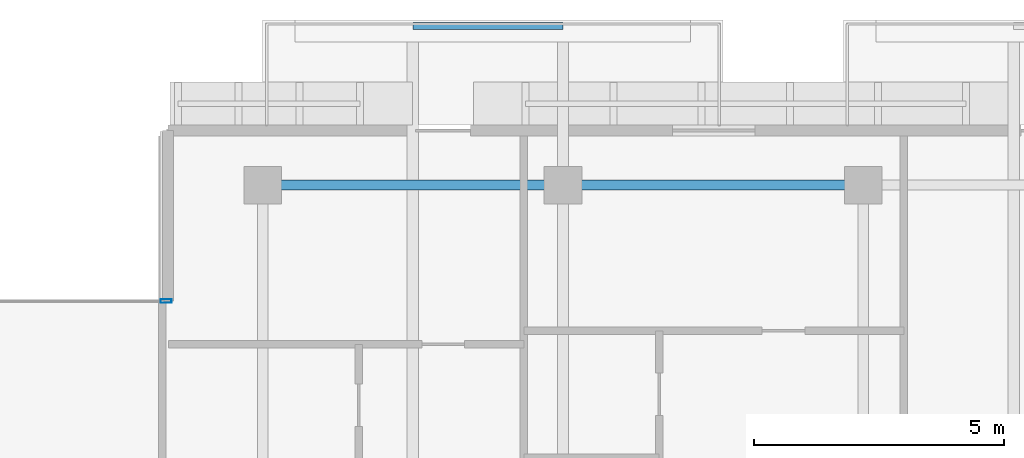
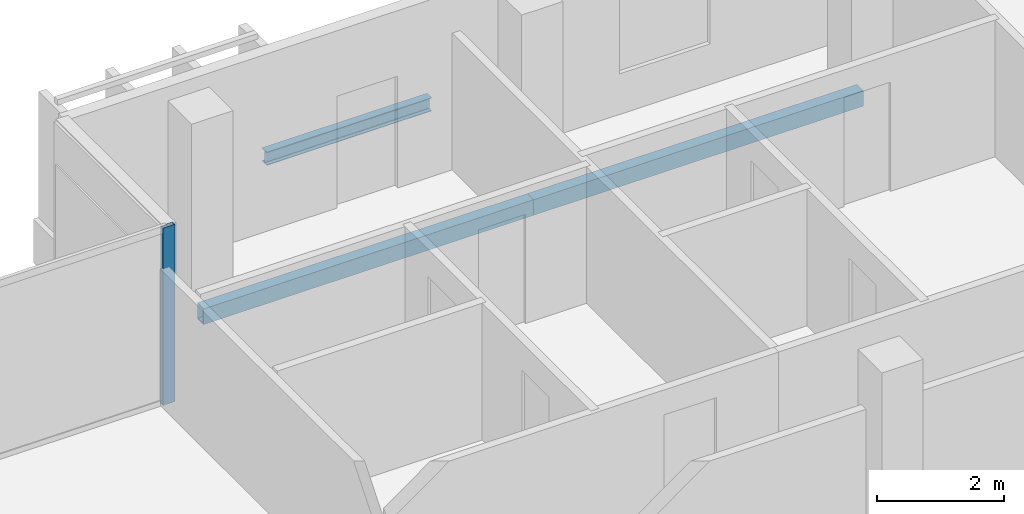
# One storey, part 8 of 23: 3 beams, 1 member, 1 element without a shape of its own.
"""IFC4 building model written with IfcOpenShell, lengths in metres."""

from ifc_helpers import new_model, si_unit, direction, frame, origin, origin_2d, place, context, subcontext, project, spatial, hollow_rectangle, i_section, extrude, material, layer, layer_set, material_profile, profile_set, type_object, element, aggregate, save


model = new_model("IFC4")

# Units and contexts
model_context = context("Model", 3, precision=1e-05, world=origin(), true_north=direction((0.0, 1.0)))
body_context = subcontext(model_context, "Body", "Model", "MODEL_VIEW")
ifc_project = project(units=[si_unit("LENGTHUNIT", "METRE"), si_unit("AREAUNIT", "SQUARE_METRE"), si_unit("VOLUMEUNIT", "CUBIC_METRE"), si_unit("PLANEANGLEUNIT", "RADIAN"), si_unit("MASSUNIT", "GRAM", prefix="KILO")], contexts=[model_context])

# Site, building, storey
site_placement = place(None, origin())
site = spatial("IfcSite", under=ifc_project, at=site_placement, CompositionType="ELEMENT")
building_placement = place(site_placement, origin())
building = spatial("IfcBuilding", under=site, at=building_placement, Name="Tanjung Sevakor Pilgrim Tower", CompositionType="ELEMENT")
storey_placement = place(building_placement, frame((0.0, 0.0, 215.489990234375)))
storey = spatial("IfcBuildingStorey", under=building, at=storey_placement, Name="L60", CompositionType="ELEMENT", Elevation=215.489990234375)

# Beams
ifc_material_1 = material(Name="Steel S355J2", Category="steel")
ifc_material_profile_1 = material_profile(ifc_material_1, i_section(OverallWidth=0.146484375, OverallDepth=0.256103515625, WebThickness=0.00634765625, FlangeThickness=0.010986328125, FilletRadius=0.007568359375, at=origin_2d()))
ifc_profile_set_1 = profile_set([ifc_material_profile_1], Name="Steel S355J2")
beam_type_1 = type_object("IfcBeamType", Name="BM-B-J6-UB_254x146x37", PredefinedType="JOIST", material=ifc_profile_set_1)
beam_placement = place(storey_placement, frame((57.0, 57.1298828125, -0.327880859375), z_axis=(1.0, 0.0, 0.0), x_axis=(0.0, 1.0, 0.0)))
element("IfcBeam", 1, at=beam_placement, inside=storey, type_object=beam_type_1, Name="L60 Balcony Rim Tie MAIN-N2", PredefinedType="JOIST", context=body_context, shape_type="SweptSolid", body=[
    extrude(i_section(OverallWidth=0.146484375, OverallDepth=0.256103515625, WebThickness=0.00634765625, FlangeThickness=0.010986328125, FilletRadius=0.007568359375, at=origin_2d()), origin(), (0.0, 0.0, 1.0), 3.0),
])
ifc_material_2 = material(Name="Steel S355J2", Category="steel")
ifc_material_profile_2 = material_profile(ifc_material_2, hollow_rectangle(XDim=0.199951171875, YDim=0.300048828125, WallThickness=0.012451171875, at=origin_2d()))
ifc_profile_set_2 = profile_set([ifc_material_profile_2], Name="Steel S355J2")
beam_type_2 = type_object("IfcBeamType", Name="BM-B-SP3-RHS_300x200x12.5", PredefinedType="SPANDREL", material=ifc_profile_set_2)
for number, where, z_axis, x_axis, name in (
    (2, (54.0, 53.949951171875, -0.369873046875), (1.0, 0.0, 0.0), (0.0, 1.0, 0.0), "L60 Spandrel MAIN N-06"),
    (3, (60.0, 53.949951171875, -0.369873046875), (1.0, 0.0, 0.0), (0.0, 1.0, 0.0), "L60 Spandrel MAIN N-08"),
):
    element("IfcBeam", number, at=place(storey_placement, frame(where, z_axis=z_axis, x_axis=x_axis)), inside=storey, type_object=beam_type_2, Name=name, PredefinedType="SPANDREL", context=body_context, shape_type="SweptSolid", body=[
        extrude(hollow_rectangle(XDim=0.199951171875, YDim=0.300048828125, WallThickness=0.012451171875, at=origin_2d()), origin(), (0.0, 0.0, 1.0), 6.0),
    ])

# Curtain wall, member
ifc_material_3 = material(Name="Aluminium 6063-T6 and Low-E Glass", Category="aluminium")
ifc_layer = layer(ifc_material_3, 0.179931640625)
ifc_layer_set = layer_set([ifc_layer], Name="CW-SYS-CLEFT")
curtain_wall_type = type_object("IfcCurtainWallType", Name="CW-SYS-CLEFT", PredefinedType="NOTDEFINED", material=ifc_layer_set)
curtain_wall_placement = place(storey_placement, origin())
curtain_wall = element("IfcCurtainWall", 4, at=curtain_wall_placement, inside=storey, type_object=curtain_wall_type, Name="L60 Curtain Wall CW-CLF-L60-10", PredefinedType="NOTDEFINED")
ifc_material_4 = material(Name="Aluminium 6063-T6", Category="aluminium")
ifc_material_profile_3 = material_profile(ifc_material_4, hollow_rectangle(XDim=0.074951171875, YDim=0.219970703125, WallThickness=0.0048828125, at=origin_2d()))
ifc_profile_set_3 = profile_set([ifc_material_profile_3], Name="Aluminium 6063-T6")
member_type = type_object("IfcMemberType", Name="TYPE-CWM-2", PredefinedType="MULLION", material=ifc_profile_set_3)
member_placement = place(storey_placement, frame((52.072509765625, 51.639892578125, 0.0), z_axis=(0.0, 0.0, 1.0), x_axis=(0.0, -1.0, 0.0)))
member = element("IfcMember", 5, at=member_placement, type_object=member_type, Name="CW-CLF mullion 1", PredefinedType="MULLION", context=body_context, shape_type="SweptSolid", body=[
    extrude(hollow_rectangle(XDim=0.074951171875, YDim=0.219970703125, WallThickness=0.0048828125, at=origin_2d()), origin(), (0.0, 0.0, 1.0), 3.409912109375),
])
aggregate(curtain_wall, [member])

save(model, "model.ifc")
